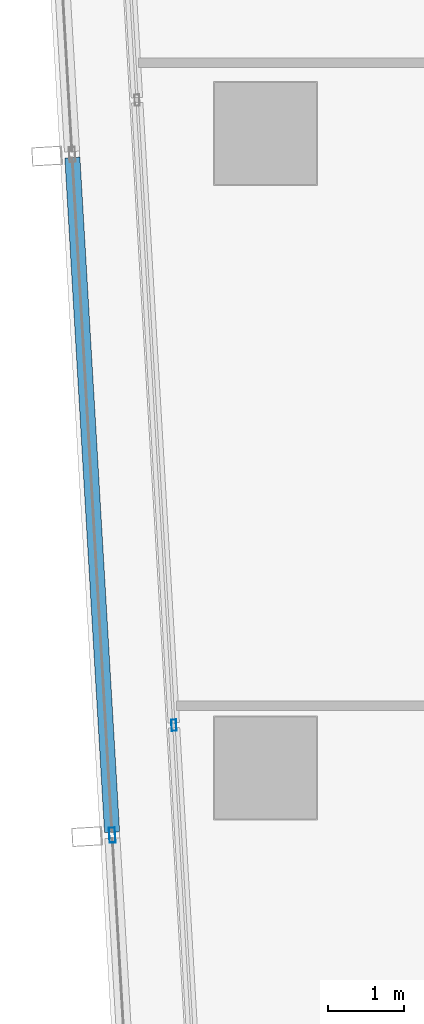
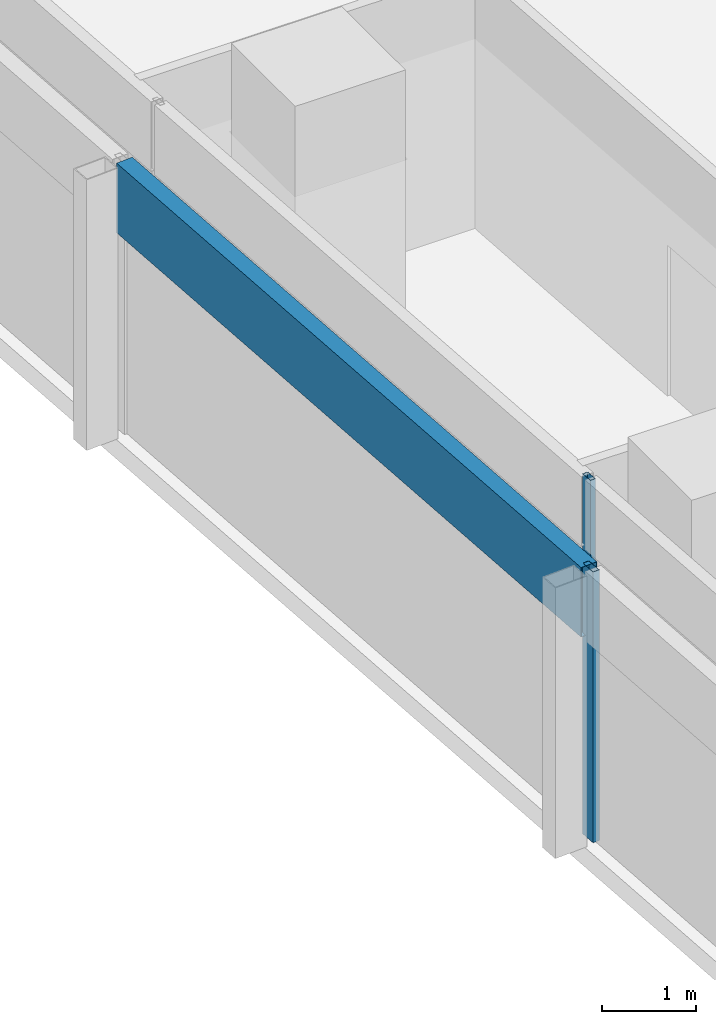
# One storey, part 5 of 33: 3 members, 2 elements without a shape of their own.
"""IFC4 building model written with IfcOpenShell, lengths in metres."""

from ifc_helpers import new_model, si_unit, direction, frame, origin, origin_2d, place, context, subcontext, project, spatial, hollow_rectangle, extrude, material, material_profile, profile_set, type_object, element, aggregate, save


model = new_model("IFC4")

# Units and contexts
model_context = context("Model", 3, precision=1e-05, world=origin(), true_north=direction((0.0, 1.0)))
body_context = subcontext(model_context, "Body", "Model", "MODEL_VIEW")
ifc_project = project(units=[si_unit("LENGTHUNIT", "METRE"), si_unit("AREAUNIT", "SQUARE_METRE"), si_unit("VOLUMEUNIT", "CUBIC_METRE"), si_unit("PLANEANGLEUNIT", "RADIAN"), si_unit("MASSUNIT", "GRAM", prefix="KILO")], contexts=[model_context])

# Site, building, storey
site_placement = place(None, origin())
site = spatial("IfcSite", under=ifc_project, at=site_placement, CompositionType="ELEMENT")
building_placement = place(site_placement, origin())
building = spatial("IfcBuilding", under=site, at=building_placement, Name="Rekha Terrace Tower", CompositionType="ELEMENT")
storey_placement = place(building_placement, frame((0.0, 0.0, 206.449951171875)))
storey = spatial("IfcBuildingStorey", under=building, at=storey_placement, Name="L52", CompositionType="ELEMENT", Elevation=206.449951171875)

# Curtain wall, member
ifc_material_1 = material(Name="Aluminium framing", Category="aluminium")
curtain_wall_type_1 = type_object("IfcCurtainWallType", Name="CW1 double skin inner glazing", PredefinedType="USERDEFINED", material=ifc_material_1)
curtain_wall_1_placement = place(storey_placement, origin())
curtain_wall_1 = element("IfcCurtainWall", 1, at=curtain_wall_1_placement, inside=storey, type_object=curtain_wall_type_1, Name="CW1 double skin inner glazing", ObjectType="DOUBLE SKIN INNER GLAZING", PredefinedType="USERDEFINED")
ifc_material_2 = material(Name="Aluminium mullion section", Category="aluminium")
ifc_material_profile_1 = material_profile(ifc_material_2, hollow_rectangle(XDim=0.06494140625, YDim=0.14990234375, WallThickness=0.00390625, at=origin_2d()), Name="AL RHS 65x150")
ifc_profile_set_1 = profile_set([ifc_material_profile_1], Name="Aluminium mullion section")
member_type_1 = type_object("IfcMemberType", Name="CW1 mullion RHS 65 x 150", PredefinedType="MULLION", material=ifc_profile_set_1)
member_1_placement = place(storey_placement, frame((7.18701171875, 25.76611328125, 0.0), z_axis=(0.0, 0.0, 1.0), x_axis=(0.998271839269, 0.058765082516, 0.0)))
member_1 = element("IfcMember", 2, at=member_1_placement, type_object=member_type_1, Name="CW1 mullion 3", PredefinedType="MULLION", context=body_context, shape_type="SweptSolid", body=[
    extrude(hollow_rectangle(XDim=0.06494140625, YDim=0.14990234375, WallThickness=0.00390625, at=origin_2d()), origin(), (0.0, 0.0, 1.0), 3.5),
])
aggregate(curtain_wall_1, [member_1])

# Curtain wall, members
curtain_wall_type_2 = type_object("IfcCurtainWallType", Name="CW2 double skin outer glazing", PredefinedType="USERDEFINED", material=ifc_material_1)
curtain_wall_2_placement = place(storey_placement, origin())
curtain_wall_2 = element("IfcCurtainWall", 3, at=curtain_wall_2_placement, inside=storey, type_object=curtain_wall_type_2, Name="CW2 double skin outer glazing", ObjectType="DOUBLE SKIN OUTER GLAZING", PredefinedType="USERDEFINED")
ifc_material_profile_2 = material_profile(ifc_material_2, hollow_rectangle(XDim=0.080078125, YDim=0.199951171875, WallThickness=0.00390625, at=origin_2d()), Name="AL RHS 80x200")
ifc_profile_set_2 = profile_set([ifc_material_profile_2], Name="Aluminium mullion section")
member_type_2 = type_object("IfcMemberType", Name="CW2 mullion RHS 80 x 200", PredefinedType="MULLION", material=ifc_profile_set_2)
member_2_placement = place(storey_placement, frame((6.370849609375, 24.31201171875, 0.0), z_axis=(0.0, 0.0, 1.0), x_axis=(0.99827183927, 0.058765082499, 0.0)))
member_2 = element("IfcMember", 4, at=member_2_placement, type_object=member_type_2, Name="CW2 mullion 3", PredefinedType="MULLION", context=body_context, shape_type="SweptSolid", body=[
    extrude(hollow_rectangle(XDim=0.080078125, YDim=0.199951171875, WallThickness=0.00390625, at=origin_2d()), origin(), (0.0, 0.0, 1.0), 3.5),
])
ifc_material_3 = material(Name="Insulated aluminium spandrel box", Category="aluminium")
ifc_material_profile_3 = material_profile(ifc_material_3, hollow_rectangle(XDim=0.199951171875, YDim=0.89990234375, WallThickness=0.0029296875, at=origin_2d()), Name="AL SPANDREL BOX 200x900")
ifc_profile_set_3 = profile_set([ifc_material_profile_3], Name="Insulated aluminium spandrel box")
member_type_3 = type_object("IfcMemberType", Name="CW2 spandrel transom 200 x 900", PredefinedType="USERDEFINED", material=ifc_profile_set_3)
member_3_placement = place(storey_placement, frame((5.843017578125, 33.27978515625, 3.050048828125), z_axis=(0.058773229711, -0.998271359636, 0.0), x_axis=(0.998271359636, 0.058773229711, 0.0)))
member_3 = element("IfcMember", 5, at=member_3_placement, type_object=member_type_3, Name="CW2 spandrel transom 2", ObjectType="TRANSOM", PredefinedType="USERDEFINED", context=body_context, shape_type="SweptSolid", body=[
    extrude(hollow_rectangle(XDim=0.199951171875, YDim=0.89990234375, WallThickness=0.0029296875, at=origin_2d()), origin(), (0.0, 0.0, 1.0), 8.943359375),
])
aggregate(curtain_wall_2, [member_2, member_3])

save(model, "model.ifc")
